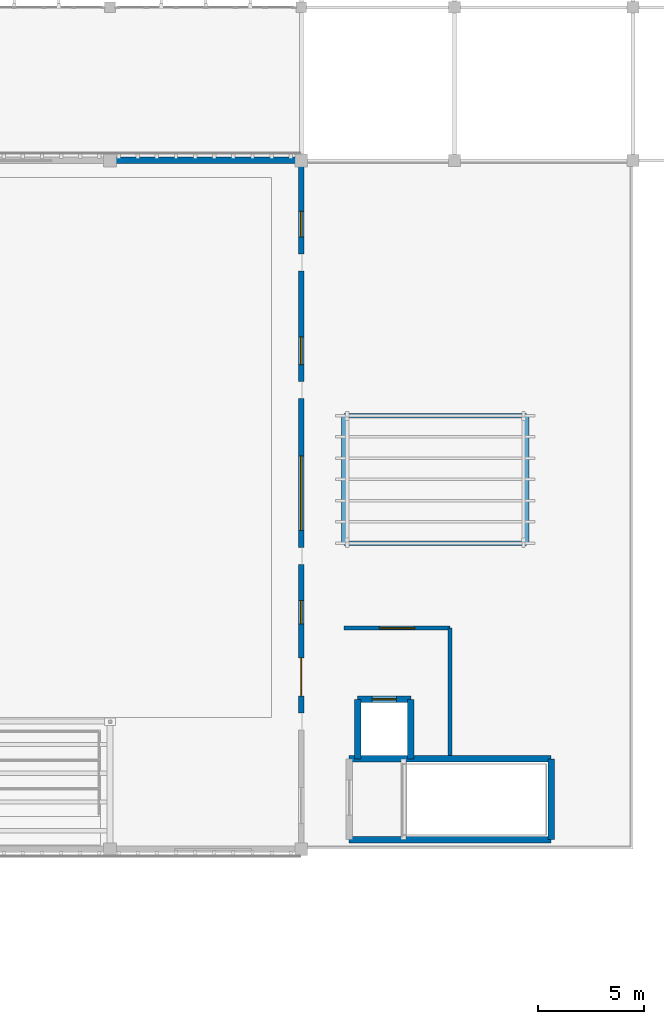
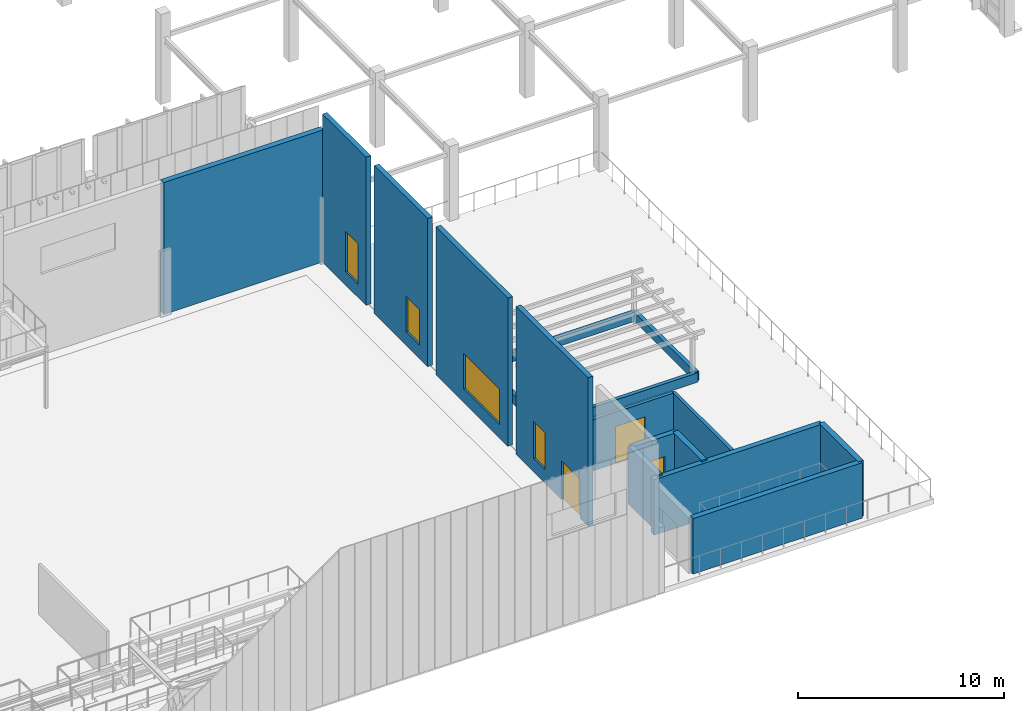
# One storey, part 47 of 67: 17 walls, 4 windows, 3 doors, 7 openings.
"""IFC4 building model written with IfcOpenShell, lengths in metres."""

from ifc_helpers import new_model, si_unit, direction, frame, frame_2d, origin, place, context, subcontext, project, spatial, rectangle, extrude, material, layer, layer_set, type_object, element, fill, save


model = new_model("IFC4")

# Units and contexts
model_context = context("Model", 3, precision=1e-05, world=origin(), true_north=direction((0.0, 1.0)))
body_context = subcontext(model_context, "Body", "Model", "MODEL_VIEW")
ifc_project = project(units=[si_unit("LENGTHUNIT", "METRE"), si_unit("AREAUNIT", "SQUARE_METRE"), si_unit("VOLUMEUNIT", "CUBIC_METRE"), si_unit("PLANEANGLEUNIT", "RADIAN"), si_unit("MASSUNIT", "GRAM", prefix="KILO")], contexts=[model_context])

# Site, building, storey
site_placement = place(None, origin())
site = spatial("IfcSite", under=ifc_project, at=site_placement, CompositionType="ELEMENT")
building_placement = place(site_placement, origin())
building = spatial("IfcBuilding", under=site, at=building_placement, Name="Tizgana Railside Sports Hall", CompositionType="ELEMENT")
storey_placement = place(building_placement, frame((0.0, 0.0, 12.0)))
storey = spatial("IfcBuildingStorey", under=building, at=storey_placement, Name="L02", CompositionType="ELEMENT", Elevation=12.0)

# Walls
ifc_material_1 = material(Name="Concrete C40/50", Category="concrete")
ifc_layer_1 = layer(ifc_material_1, 0.300048828125, Name="Concrete C40/50")
ifc_layer_set_1 = layer_set([ifc_layer_1], Name="Concrete C40/50")
wall_type_1 = type_object("IfcWallType", Name="Core Shear Wall 300", PredefinedType="SHEAR", material=ifc_layer_set_1)
for number, where, z_axis, x_axis, name in (
    (1, (145.550048828125, 41.25, 0.0), (0.0, 0.0, 1.0), (-1.0, 0.0, 0.0), "L02 C5 Shaft Wall S"),
    (2, (136.050048828125, 45.050048828125, 0.0), (0.0, 0.0, 1.0), (1.0, 0.0, 0.0), "L02 C5 Shaft Wall N"),
):
    element("IfcWall", number, at=place(storey_placement, frame(where, z_axis=z_axis, x_axis=x_axis)), inside=storey, type_object=wall_type_1, Name=name, PredefinedType="SHEAR", context=body_context, shape_type="SweptSolid", body=[
        extrude(rectangle(XDim=9.5, YDim=0.300048828125, at=frame_2d((4.75, 0.0))), origin(), (0.0, 0.0, 1.0), 3.300048828125),
    ])
wall_1_placement = place(storey_placement, frame((145.550048828125, 41.25, 0.0), z_axis=(0.0, 0.0, 1.0), x_axis=(0.0, 1.0, 0.0)))
element("IfcWall", 3, at=wall_1_placement, inside=storey, type_object=wall_type_1, Name="L02 C5 Shaft Wall E", PredefinedType="SHEAR", context=body_context, shape_type="SweptSolid", body=[
    extrude(rectangle(XDim=3.800048828125, YDim=0.300048828125, at=frame_2d((1.89990234375, 0.0))), origin(), (0.0, 0.0, 1.0), 3.300048828125),
])

# Wall, opening, door
wall_2_placement = place(storey_placement, frame((136.449951171875, 47.85009765625, 0.0), z_axis=(0.0, 0.0, 1.0), x_axis=(1.0, 0.0, 0.0)))
wall_2 = element("IfcWall", 4, at=wall_2_placement, inside=storey, type_object=wall_type_1, Name="L02 LP-03 Shaft Wall N", PredefinedType="SHEAR", context=body_context, shape_type="SweptSolid", body=[
    extrude(rectangle(XDim=2.5, YDim=0.300048828125, at=frame_2d((1.25, 0.0))), origin(), (0.0, 0.0, 1.0), 3.39990234375),
])
opening_1_placement = place(wall_2_placement, frame((0.675048828125, 0.0, 0.0)))
opening_1 = element("IfcOpeningElement", 5, at=opening_1_placement, cuts=wall_2, Name="Opening D-0086", PredefinedType="OPENING", context=body_context, shape_type="SweptSolid", body=[
    extrude(rectangle(XDim=1.14990234375, YDim=2.199951171875, at=frame_2d((0.574951171875, 1.10009765625))), frame((0.0, 0.159912109375, 0.0), z_axis=(0.0, -1.0, 0.0), x_axis=(1.0, 0.0, 0.0)), (0.0, 0.0, 1.0), 0.320068359375),
])
ifc_material_2 = material(Name="Brushed stainless steel", Category="steel")
door_type_1 = type_object("IfcDoorType", Name="Passenger Lift Sliding Door 1150x2200", OperationType="NOTDEFINED", PredefinedType="DOOR", material=ifc_material_2)
door_1_placement = place(opening_1_placement, origin())
door_1 = element("IfcDoor", 6, at=door_1_placement, inside=storey, type_object=door_type_1, Name="L02 Door D-0086", OperationType="DOUBLE_DOOR_SLIDING", OverallHeight=2.199951171875, OverallWidth=1.14990234375, PredefinedType="DOOR", context=body_context, shape_type="SweptSolid", body=[
    extrude(rectangle(XDim=1.14990234375, YDim=2.199951171875, at=frame_2d((0.574951171875, 1.10009765625))), frame((0.0, 0.02490234375, 0.0), z_axis=(0.0, -1.0, 0.0), x_axis=(1.0, 0.0, 0.0)), (0.0, 0.0, 1.0), 0.050048828125),
])
fill(opening_1, door_1)

# Walls
for number, where, z_axis, x_axis, name in (
    (7, (136.449951171875, 45.050048828125, 0.0), (0.0, 0.0, 1.0), (0.0, 1.0, 0.0), "L02 LP-03 Shaft Wall W"),
    (8, (138.949951171875, 45.050048828125, 0.0), (0.0, 0.0, 1.0), (0.0, 1.0, 0.0), "L02 LP-03 Shaft Wall E"),
):
    element("IfcWall", number, at=place(storey_placement, frame(where, z_axis=z_axis, x_axis=x_axis)), inside=storey, type_object=wall_type_1, Name=name, PredefinedType="SHEAR", context=body_context, shape_type="SweptSolid", body=[
        extrude(rectangle(XDim=2.800048828125, YDim=0.300048828125, at=frame_2d((1.39990234375, 0.0))), origin(), (0.0, 0.0, 1.0), 3.39990234375),
    ])
ifc_material_3 = material(Name="Precast concrete C40/50", Category="concrete")
ifc_layer_2 = layer(ifc_material_3, 0.31005859375, Name="Precast concrete C40/50")
ifc_layer_set_2 = layer_set([ifc_layer_2], Name="Precast concrete C40/50")
wall_type_2 = type_object("IfcWallType", Name="Exterior Acoustic Hall Wall 310", PredefinedType="STANDARD", material=ifc_layer_set_2)
wall_3_placement = place(storey_placement, frame((124.7548828125, 73.199951171875, 0.0), z_axis=(0.0, 0.0, 1.0), x_axis=(1.0, 0.0, 0.0)))
element("IfcWall", 9, at=wall_3_placement, inside=storey, type_object=wall_type_2, Name="L02 Exterior Wall EWAL-0053", PredefinedType="STANDARD", context=body_context, shape_type="SweptSolid", body=[
    extrude(rectangle(XDim=8.9951171875, YDim=0.31005859375, at=frame_2d((4.49755859375, 0.0))), origin(), (0.0, 0.0, 1.0), 7.8349609375),
])

# Wall, openings, window, door
ifc_layer_3 = layer(ifc_material_3, 0.27001953125, Name="Precast concrete C40/50")
ifc_layer_set_3 = layer_set([ifc_layer_3], Name="Precast concrete C40/50")
wall_type_3 = type_object("IfcWallType", Name="Exterior Studio Facade Wall 270", PredefinedType="STANDARD", material=ifc_layer_set_3)
wall_4_placement = place(storey_placement, frame((133.800048828125, 47.199951171875, 0.0), z_axis=(0.0, 0.0, 1.0), x_axis=(0.0, 1.0, 0.0)))
wall_4 = element("IfcWall", 10, at=wall_4_placement, inside=storey, type_object=wall_type_3, Name="L02 Exterior Wall EWAL-0139", PredefinedType="STANDARD", context=body_context, shape_type="SweptSolid", body=[
    extrude(rectangle(XDim=7.0, YDim=0.27001953125, at=frame_2d((3.5, 0.0))), origin(), (0.0, 0.0, 1.0), 8.800048828125),
])
opening_2_placement = place(wall_4_placement, frame((4.199951171875, 0.0, 0.800048828125)))
opening_2 = element("IfcOpeningElement", 11, at=opening_2_placement, cuts=wall_4, Name="Opening W-0118", PredefinedType="OPENING", context=body_context, shape_type="SweptSolid", body=[
    extrude(rectangle(XDim=1.10009765625, YDim=2.199951171875, at=frame_2d((0.550048828125, 1.10009765625))), frame((0.0, 0.14501953125, 0.0), z_axis=(0.0, -1.0, 0.0), x_axis=(1.0, 0.0, 0.0)), (0.0, 0.0, 1.0), 0.2900390625),
])
opening_3_placement = place(wall_4_placement, frame((0.800048828125, 0.0, 0.0)))
opening_3 = element("IfcOpeningElement", 12, at=opening_3_placement, cuts=wall_4, Name="Opening D-0311", PredefinedType="OPENING", context=body_context, shape_type="SweptSolid", body=[
    extrude(rectangle(XDim=1.800048828125, YDim=2.300048828125, at=frame_2d((0.89990234375, 1.14990234375))), frame((0.0, 0.14501953125, 0.0), z_axis=(0.0, -1.0, 0.0), x_axis=(1.0, 0.0, 0.0)), (0.0, 0.0, 1.0), 0.2900390625),
])
ifc_material_4 = material(Name="Double low-E laminated glass", Category="glass")
window_type_1 = type_object("IfcWindowType", Name="East Hall Slot Window 1100x2200", PartitioningType="SINGLE_PANEL", PredefinedType="WINDOW", material=ifc_material_4)
window_1_placement = place(opening_2_placement, origin())
window_1 = element("IfcWindow", 13, at=window_1_placement, inside=storey, type_object=window_type_1, Name="L02 Window W-0118", OverallHeight=2.199951171875, OverallWidth=1.10009765625, PartitioningType="SINGLE_PANEL", PredefinedType="WINDOW", context=body_context, shape_type="SweptSolid", body=[
    extrude(rectangle(XDim=1.10009765625, YDim=2.199951171875, at=frame_2d((0.550048828125, 1.10009765625))), frame((0.0, 0.030029296875, 0.0), z_axis=(0.0, -1.0, 0.0), x_axis=(1.0, 0.0, 0.0)), (0.0, 0.0, 1.0), 0.06005859375),
])
fill(opening_2, window_1)
ifc_material_5 = material(Name="Solid beech timber", Category="wood")
door_type_2 = type_object("IfcDoorType", Name="Spectator Vomitory Double Door 1800x2300", OperationType="NOTDEFINED", PredefinedType="DOOR", material=ifc_material_5)
door_2_placement = place(opening_3_placement, origin())
door_2 = element("IfcDoor", 14, at=door_2_placement, inside=storey, type_object=door_type_2, Name="L02 Door D-0311", OperationType="DOUBLE_DOOR_SINGLE_SWING", OverallHeight=2.300048828125, OverallWidth=1.800048828125, PredefinedType="DOOR", context=body_context, shape_type="SweptSolid", body=[
    extrude(rectangle(XDim=1.800048828125, YDim=2.300048828125, at=frame_2d((0.89990234375, 1.14990234375))), frame((0.0, 0.02490234375, 0.0), z_axis=(0.0, -1.0, 0.0), x_axis=(1.0, 0.0, 0.0)), (0.0, 0.0, 1.0), 0.050048828125),
])
fill(opening_3, door_2)

# Wall, opening, window
wall_5_placement = place(storey_placement, frame((133.800048828125, 55.0, 0.0), z_axis=(0.0, 0.0, 1.0), x_axis=(0.0, 1.0, 0.0)))
wall_5 = element("IfcWall", 15, at=wall_5_placement, inside=storey, type_object=wall_type_3, Name="L02 Exterior Wall EWAL-0140", PredefinedType="STANDARD", context=body_context, shape_type="SweptSolid", body=[
    extrude(rectangle(XDim=7.0, YDim=0.27001953125, at=frame_2d((3.5, 0.0))), origin(), (0.0, 0.0, 1.0), 8.800048828125),
])
opening_4_placement = place(wall_5_placement, frame((0.800048828125, 0.0, 0.800048828125)))
opening_4 = element("IfcOpeningElement", 16, at=opening_4_placement, cuts=wall_5, Name="Opening W-0119", PredefinedType="OPENING", context=body_context, shape_type="SweptSolid", body=[
    extrude(rectangle(XDim=3.5, YDim=2.10009765625, at=frame_2d((1.75, 1.050048828125))), frame((0.0, 0.14501953125, 0.0), z_axis=(0.0, -1.0, 0.0), x_axis=(1.0, 0.0, 0.0)), (0.0, 0.0, 1.0), 0.2900390625),
])
window_type_2 = type_object("IfcWindowType", Name="Dance Studio Picture Window 3500x2100", PartitioningType="SINGLE_PANEL", PredefinedType="WINDOW", material=ifc_material_4)
window_2_placement = place(opening_4_placement, origin())
window_2 = element("IfcWindow", 17, at=window_2_placement, inside=storey, type_object=window_type_2, Name="L02 Window W-0119", OverallHeight=2.10009765625, OverallWidth=3.5, PartitioningType="SINGLE_PANEL", PredefinedType="WINDOW", context=body_context, shape_type="SweptSolid", body=[
    extrude(rectangle(XDim=3.5, YDim=2.10009765625, at=frame_2d((1.75, 1.050048828125))), frame((0.0, 0.030029296875, 0.0), z_axis=(0.0, -1.0, 0.0), x_axis=(1.0, 0.0, 0.0)), (0.0, 0.0, 1.0), 0.06005859375),
])
fill(opening_4, window_2)

wall_6_placement = place(storey_placement, frame((133.800048828125, 62.800048828125, 0.0), z_axis=(0.0, 0.0, 1.0), x_axis=(0.0, 1.0, 0.0)))
wall_6 = element("IfcWall", 18, at=wall_6_placement, inside=storey, type_object=wall_type_3, Name="L02 Exterior Wall EWAL-0141", PredefinedType="STANDARD", context=body_context, shape_type="SweptSolid", body=[
    extrude(rectangle(XDim=5.199951171875, YDim=0.27001953125, at=frame_2d((2.60009765625, 0.0))), origin(), (0.0, 0.0, 1.0), 8.800048828125),
])
opening_5_placement = place(wall_6_placement, frame((0.800048828125, 0.0, 0.800048828125)))
opening_5 = element("IfcOpeningElement", 19, at=opening_5_placement, cuts=wall_6, Name="Opening W-0120", PredefinedType="OPENING", context=body_context, shape_type="SweptSolid", body=[
    extrude(rectangle(XDim=1.300048828125, YDim=2.10009765625, at=frame_2d((0.64990234375, 1.050048828125))), frame((0.0, 0.14501953125, 0.0), z_axis=(0.0, -1.0, 0.0), x_axis=(1.0, 0.0, 0.0)), (0.0, 0.0, 1.0), 0.2900390625),
])
window_type_3 = type_object("IfcWindowType", Name="Martial Arts Slot Window 1300x2100", PartitioningType="SINGLE_PANEL", PredefinedType="WINDOW", material=ifc_material_4)
window_3_placement = place(opening_5_placement, origin())
window_3 = element("IfcWindow", 20, at=window_3_placement, inside=storey, type_object=window_type_3, Name="L02 Window W-0120", OverallHeight=2.10009765625, OverallWidth=1.300048828125, PartitioningType="SINGLE_PANEL", PredefinedType="WINDOW", context=body_context, shape_type="SweptSolid", body=[
    extrude(rectangle(XDim=1.300048828125, YDim=2.10009765625, at=frame_2d((0.64990234375, 1.050048828125))), frame((0.0, 0.030029296875, 0.0), z_axis=(0.0, -1.0, 0.0), x_axis=(1.0, 0.0, 0.0)), (0.0, 0.0, 1.0), 0.06005859375),
])
fill(opening_5, window_3)

wall_7_placement = place(storey_placement, frame((133.800048828125, 68.800048828125, 0.0), z_axis=(0.0, 0.0, 1.0), x_axis=(0.0, 1.0, 0.0)))
wall_7 = element("IfcWall", 21, at=wall_7_placement, inside=storey, type_object=wall_type_3, Name="L02 Exterior Wall EWAL-0142", PredefinedType="STANDARD", context=body_context, shape_type="SweptSolid", body=[
    extrude(rectangle(XDim=4.239990234375, YDim=0.27001953125, at=frame_2d((2.1201171875, 0.0))), origin(), (0.0, 0.0, 1.0), 8.800048828125),
])
opening_6_placement = place(wall_7_placement, frame((0.800048828125, 0.0, 0.800048828125)))
opening_6 = element("IfcOpeningElement", 22, at=opening_6_placement, cuts=wall_7, Name="Opening W-0121", PredefinedType="OPENING", context=body_context, shape_type="SweptSolid", body=[
    extrude(rectangle(XDim=1.199951171875, YDim=2.39990234375, at=frame_2d((0.60009765625, 1.199951171875))), frame((0.0, 0.14501953125, 0.0), z_axis=(0.0, -1.0, 0.0), x_axis=(1.0, 0.0, 0.0)), (0.0, 0.0, 1.0), 0.2900390625),
])
window_type_4 = type_object("IfcWindowType", Name="Upper Hall Tall Slot Window 1200x2400", PartitioningType="SINGLE_PANEL", PredefinedType="WINDOW", material=ifc_material_4)
window_4_placement = place(opening_6_placement, origin())
window_4 = element("IfcWindow", 23, at=window_4_placement, inside=storey, type_object=window_type_4, Name="L02 Window W-0121", OverallHeight=2.39990234375, OverallWidth=1.199951171875, PartitioningType="SINGLE_PANEL", PredefinedType="WINDOW", context=body_context, shape_type="SweptSolid", body=[
    extrude(rectangle(XDim=1.199951171875, YDim=2.39990234375, at=frame_2d((0.60009765625, 1.199951171875))), frame((0.0, 0.030029296875, 0.0), z_axis=(0.0, -1.0, 0.0), x_axis=(1.0, 0.0, 0.0)), (0.0, 0.0, 1.0), 0.06005859375),
])
fill(opening_6, window_4)

# Wall, opening, door
ifc_material_6 = material(Name="Masonry blockwork", Category="masonry")
ifc_layer_4 = layer(ifc_material_6, 0.179931640625, Name="Masonry blockwork")
ifc_layer_set_4 = layer_set([ifc_layer_4], Name="Masonry blockwork")
wall_type_4 = type_object("IfcWallType", Name="Riser and Shaft Wall 180", PredefinedType="STANDARD", material=ifc_layer_set_4)
wall_8_placement = place(storey_placement, frame((135.800048828125, 51.199951171875, 0.0), z_axis=(0.0, 0.0, 1.0), x_axis=(1.0, 0.0, 0.0)))
wall_8 = element("IfcWall", 24, at=wall_8_placement, inside=storey, type_object=wall_type_4, Name="L02 Partition PWAL-0348", PredefinedType="STANDARD", context=body_context, shape_type="SweptSolid", body=[
    extrude(rectangle(XDim=5.0, YDim=0.179931640625, at=frame_2d((2.5, 0.0))), origin(), (0.0, 0.0, 1.0), 3.050048828125),
])
opening_7_placement = place(wall_8_placement, frame((1.675048828125, 0.0, 0.0)))
opening_7 = element("IfcOpeningElement", 25, at=opening_7_placement, cuts=wall_8, Name="Opening D-0310", PredefinedType="OPENING", context=body_context, shape_type="SweptSolid", body=[
    extrude(rectangle(XDim=1.64990234375, YDim=2.199951171875, at=frame_2d((0.824951171875, 1.10009765625))), frame((0.0, 0.099853515625, 0.0), z_axis=(0.0, -1.0, 0.0), x_axis=(1.0, 0.0, 0.0)), (0.0, 0.0, 1.0), 0.199951171875),
])
ifc_material_7 = material(Name="Timber fire leaf", Category="wood")
door_type_3 = type_object("IfcDoorType", Name="Stair Core Double Fire Door 1650x2200", OperationType="NOTDEFINED", PredefinedType="DOOR", material=ifc_material_7)
door_3_placement = place(opening_7_placement, origin())
door_3 = element("IfcDoor", 26, at=door_3_placement, inside=storey, type_object=door_type_3, Name="L02 Door D-0310", OperationType="DOUBLE_DOOR_SINGLE_SWING", OverallHeight=2.199951171875, OverallWidth=1.64990234375, PredefinedType="DOOR", context=body_context, shape_type="SweptSolid", body=[
    extrude(rectangle(XDim=1.64990234375, YDim=2.199951171875, at=frame_2d((0.824951171875, 1.10009765625))), frame((0.0, 0.02490234375, 0.0), z_axis=(0.0, -1.0, 0.0), x_axis=(1.0, 0.0, 0.0)), (0.0, 0.0, 1.0), 0.050048828125),
])
fill(opening_7, door_3)

# Walls
wall_9_placement = place(storey_placement, frame((140.800048828125, 45.205078125, 0.0), z_axis=(0.0, 0.0, 1.0), x_axis=(0.0, 1.0, 0.0)))
element("IfcWall", 27, at=wall_9_placement, inside=storey, type_object=wall_type_4, Name="L02 Partition PWAL-0349", PredefinedType="STANDARD", context=body_context, shape_type="SweptSolid", body=[
    extrude(rectangle(XDim=5.994873046875, YDim=0.179931640625, at=frame_2d((2.99755859375, 0.0))), origin(), (0.0, 0.0, 1.0), 3.050048828125),
])
ifc_material_8 = material(Name="Concrete C35/45", Category="concrete")
ifc_layer_5 = layer(ifc_material_8, 0.2099609375, Name="Concrete C35/45")
ifc_layer_set_5 = layer_set([ifc_layer_5], Name="Concrete C35/45")
wall_type_5 = type_object("IfcWallType", Name="Roof Parapet Upstand 210", PredefinedType="PARAPET", material=ifc_layer_set_5)
wall_10_placement = place(storey_placement, frame((135.800048828125, 55.199951171875, 0.0), z_axis=(0.0, 0.0, 1.0), x_axis=(1.0, 0.0, 0.0)))
element("IfcWall", 28, at=wall_10_placement, inside=storey, type_object=wall_type_5, Name="L02 Roof Garden Planter Kerb", PredefinedType="PARAPET", context=body_context, shape_type="SweptSolid", body=[
    extrude(rectangle(XDim=8.599853515625, YDim=0.2099609375, at=frame_2d((4.2998046875, 0.0))), origin(), (0.0, 0.0, 1.0), 0.550048828125),
])
wall_11_placement = place(storey_placement, frame((144.39990234375, 55.199951171875, 0.0), z_axis=(0.0, 0.0, 1.0), x_axis=(0.0, 1.0, 0.0)))
element("IfcWall", 29, at=wall_11_placement, inside=storey, type_object=wall_type_5, Name="L02 Roof Garden Planter Kerb", PredefinedType="PARAPET", context=body_context, shape_type="SweptSolid", body=[
    extrude(rectangle(XDim=6.0, YDim=0.2099609375, at=frame_2d((3.0, 0.0))), origin(), (0.0, 0.0, 1.0), 0.550048828125),
])
wall_12_placement = place(storey_placement, frame((144.39990234375, 61.199951171875, 0.0), z_axis=(0.0, 0.0, 1.0), x_axis=(-1.0, 0.0, 0.0)))
element("IfcWall", 30, at=wall_12_placement, inside=storey, type_object=wall_type_5, Name="L02 Roof Garden Planter Kerb", PredefinedType="PARAPET", context=body_context, shape_type="SweptSolid", body=[
    extrude(rectangle(XDim=8.599853515625, YDim=0.2099609375, at=frame_2d((4.2998046875, 0.0))), origin(), (0.0, 0.0, 1.0), 0.550048828125),
])
wall_13_placement = place(storey_placement, frame((135.800048828125, 61.199951171875, 0.0), z_axis=(0.0, 0.0, 1.0), x_axis=(0.0, -1.0, 0.0)))
element("IfcWall", 31, at=wall_13_placement, inside=storey, type_object=wall_type_5, Name="L02 Roof Garden Planter Kerb", PredefinedType="PARAPET", context=body_context, shape_type="SweptSolid", body=[
    extrude(rectangle(XDim=6.0, YDim=0.2099609375, at=frame_2d((3.0, 0.0))), origin(), (0.0, 0.0, 1.0), 0.550048828125),
])

save(model, "model.ifc")
